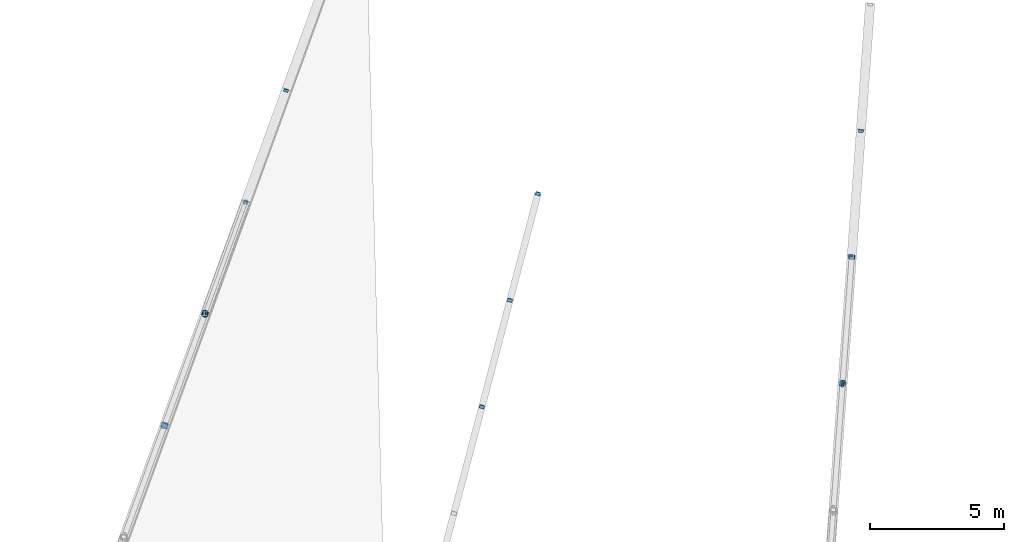
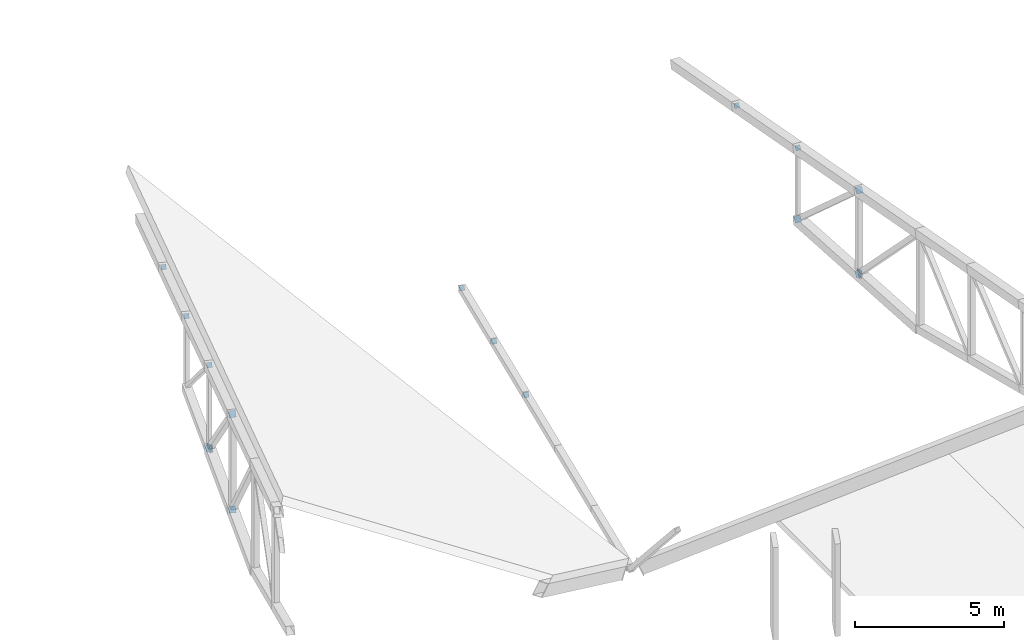
# One storey, part 129 of 188: 18 discrete accessories.
"""IFC4 building model written with IfcOpenShell, lengths in metres."""

from ifc_helpers import new_model, si_unit, direction, frame, origin, origin_2d, place, context, subcontext, project, spatial, rectangle, extrude, material, material_profile, profile_set, type_object, element, save


model = new_model("IFC4")

# Units and contexts
model_context = context("Model", 3, precision=1e-05, world=origin(), true_north=direction((0.0, 1.0)))
body_context = subcontext(model_context, "Body", "Model", "MODEL_VIEW")
ifc_project = project(units=[si_unit("LENGTHUNIT", "METRE"), si_unit("AREAUNIT", "SQUARE_METRE"), si_unit("VOLUMEUNIT", "CUBIC_METRE"), si_unit("PLANEANGLEUNIT", "RADIAN"), si_unit("MASSUNIT", "GRAM", prefix="KILO")], contexts=[model_context])

# Site, building, storey
site_placement = place(None, origin())
site = spatial("IfcSite", under=ifc_project, at=site_placement, CompositionType="ELEMENT")
building_placement = place(site_placement, origin())
building = spatial("IfcBuilding", under=site, at=building_placement, Name="Meseta Stadium", CompositionType="ELEMENT")
storey_placement = place(building_placement, frame((0.0, 0.0, 30.0)))
storey = spatial("IfcBuildingStorey", under=building, at=storey_placement, Name="ROOF", CompositionType="ELEMENT", Elevation=30.0)

# Discrete accessories
ifc_material_1 = material(Name="Steel S355", Category="steel")
ifc_material_profile_1 = material_profile(ifc_material_1, rectangle(XDim=0.179931640625, YDim=0.179931640625, at=origin_2d()), Name="PL 180x180")
ifc_profile_set_1 = profile_set([ifc_material_profile_1], Name="Steel S355")
discrete_accessory_type_1 = type_object("IfcDiscreteAccessoryType", Name="End plate 180x180x20", PredefinedType="ANCHORPLATE", material=ifc_profile_set_1)
for number, where, z_axis, x_axis, name in (
    (1, (-26.901123046875, -73.901611328125, 2.534912109375), (-0.282044096163, -0.784818354541, 0.551825405536), (0.94107471628, -0.338198726163, 0.0), "End plate of ROOF TRUSS RT-44 diagonal"),
    (2, (-28.411865234375, -78.06396484375, 3.575927734375), (-0.268672545331, -0.744955693871, 0.610619421206), (0.940690666396, -0.339265486241, 0.0), "End plate of ROOF TRUSS RT-44 diagonal"),
    (3, (-29.922607421875, -82.226318359375, 4.616943359375), (-0.256154710728, -0.707474915343, 0.658683541871), (0.940265849956, -0.340441083605, 0.0), "End plate of ROOF TRUSS RT-44 diagonal"),
    (4, (-17.51953125, -77.74658203125, 0.7265625), (-0.196278391379, -0.71150916875, 0.674706970367), (0.963992618206, -0.265928998126, 0.0), "End plate of ROOF TRUSS RT-45 diagonal"),
):
    element("IfcDiscreteAccessory", number, at=place(storey_placement, frame(where, z_axis=z_axis, x_axis=x_axis)), inside=storey, type_object=discrete_accessory_type_1, Name=name, PredefinedType="ANCHORPLATE", context=body_context, shape_type="SweptSolid", body=[
        extrude(rectangle(XDim=0.179931640625, YDim=0.179931640625, at=origin_2d()), origin(), (0.0, 0.0, 1.0), 0.02001953125),
    ])
discrete_accessory_1_placement = place(storey_placement, frame((-18.56298828125, -81.716552734375, 1.30029296875), z_axis=(-0.184441720091, -0.713174651018, 0.676286307), x_axis=(0.968146911612, -0.250382821969, 0.0)))
element("IfcDiscreteAccessory", 5, at=discrete_accessory_1_placement, inside=storey, type_object=discrete_accessory_type_1, Name="End plate of ROOF TRUSS RT-45 diagonal", PredefinedType="ANCHORPLATE", context=body_context, shape_type="SweptSolid", body=[
    extrude(rectangle(XDim=0.179931640625, YDim=0.179931640625, at=origin_2d()), origin(), (0.0, 0.0, 1.0), 0.019775390625),
])
for number, where, z_axis, x_axis, name in (
    (6, (-19.606201171875, -85.686279296875, 1.8740234375), (-0.194572921316, -0.717487647354, 0.668844417025), (0.96514032777, -0.261732970243, 0.0), "End plate of ROOF TRUSS RT-45 diagonal"),
    (7, (-5.49169921875, -75.4072265625, 2.594482421875), (-0.060790554368, -0.826751539405, 0.559273100186), (0.99730762529, -0.073331443036, 0.0), "End plate of ROOF TRUSS RT-46 diagonal"),
    (8, (-5.83349609375, -80.120361328125, 3.834716796875), (-0.048718939683, -0.791682769845, 0.608986746035), (0.998111869923, -0.061422268918, 0.0), "End plate of ROOF TRUSS RT-46 diagonal"),
):
    element("IfcDiscreteAccessory", number, at=place(storey_placement, frame(where, z_axis=z_axis, x_axis=x_axis)), inside=storey, type_object=discrete_accessory_type_1, Name=name, PredefinedType="ANCHORPLATE", context=body_context, shape_type="SweptSolid", body=[
        extrude(rectangle(XDim=0.179931640625, YDim=0.179931640625, at=origin_2d()), origin(), (0.0, 0.0, 1.0), 0.02001953125),
    ])
ifc_material_2 = material(Name="Steel S355", Category="steel")
ifc_material_profile_2 = material_profile(ifc_material_2, rectangle(XDim=0.239990234375, YDim=0.239990234375, at=origin_2d()), Name="PL 240x240")
ifc_profile_set_2 = profile_set([ifc_material_profile_2], Name="Steel S355")
discrete_accessory_type_2 = type_object("IfcDiscreteAccessoryType", Name="End plate 240x240x20", PredefinedType="ANCHORPLATE", material=ifc_profile_set_2)
discrete_accessory_2_placement = place(storey_placement, frame((-29.917724609375, -82.213134765625, 1.18408203125), z_axis=(-0.244704392116, -0.660701858714, 0.709642737137), x_axis=(0.937748760724, -0.347314355824, 0.0)))
element("IfcDiscreteAccessory", 9, at=discrete_accessory_2_placement, inside=storey, type_object=discrete_accessory_type_2, Name="End plate of ROOF TRUSS RT-44 diagonal", PredefinedType="ANCHORPLATE", context=body_context, shape_type="SweptSolid", body=[
    extrude(rectangle(XDim=0.239990234375, YDim=0.239990234375, at=origin_2d()), origin(), (0.0, 0.0, 1.0), 0.02001953125),
])
discrete_accessory_3_placement = place(storey_placement, frame((-31.433349609375, -86.388671875, 5.657958984375), z_axis=(-0.233150773622, -0.66263904082, 0.711723414214), x_axis=(0.943312390837, -0.331906211591, 0.0)))
element("IfcDiscreteAccessory", 10, at=discrete_accessory_3_placement, inside=storey, type_object=discrete_accessory_type_2, Name="End plate of ROOF TRUSS RT-44 diagonal", PredefinedType="ANCHORPLATE", context=body_context, shape_type="SweptSolid", body=[
    extrude(rectangle(XDim=0.239990234375, YDim=0.239990234375, at=origin_2d()), origin(), (0.0, 0.0, 1.0), 0.019775390625),
])
for number, where, z_axis, x_axis, name in (
    (11, (-31.4287109375, -86.376220703125, 1.7197265625), (-0.232416988925, -0.623856128167, 0.74618085918), (0.937082114833, -0.349109023173, 0.0), "End plate of ROOF TRUSS RT-44 diagonal"),
    (12, (-5.832275390625, -80.10546875, 0.898681640625), (-0.061258687864, -0.747355991938, 0.661593828928), (0.996657521232, -0.081693239445, 0.0), "End plate of ROOF TRUSS RT-46 diagonal"),
    (13, (-6.17529296875, -84.83349609375, 5.07470703125), (-0.049040086732, -0.747861322669, 0.662041170887), (0.99785694905, -0.065433242561, 0.0), "End plate of ROOF TRUSS RT-46 diagonal"),
    (14, (-6.174072265625, -84.819091796875, 1.63037109375), (-0.060835534437, -0.717859306352, 0.693525092577), (0.996428304897, -0.084443076686, 0.0), "End plate of ROOF TRUSS RT-46 diagonal"),
):
    element("IfcDiscreteAccessory", number, at=place(storey_placement, frame(where, z_axis=z_axis, x_axis=x_axis)), inside=storey, type_object=discrete_accessory_type_2, Name=name, PredefinedType="ANCHORPLATE", context=body_context, shape_type="SweptSolid", body=[
        extrude(rectangle(XDim=0.239990234375, YDim=0.239990234375, at=origin_2d()), origin(), (0.0, 0.0, 1.0), 0.02001953125),
    ])
ifc_material_3 = material(Name="Steel S355", Category="steel")
ifc_material_profile_3 = material_profile(ifc_material_3, rectangle(XDim=0.260009765625, YDim=0.260009765625, at=origin_2d()), Name="PL 260x260")
ifc_profile_set_3 = profile_set([ifc_material_profile_3], Name="Steel S355")
discrete_accessory_type_3 = type_object("IfcDiscreteAccessoryType", Name="End plate 260x260x20", PredefinedType="ANCHORPLATE", material=ifc_profile_set_3)
for number, where, z_axis, x_axis, name in (
    (15, (-29.922607421875, -82.226318359375, 1.1982421875), (0.86239765409, -0.255075362477, 0.437272049961), (0.28362844186, 0.958934255811, 0.0), "End plate of ROOF TRUSS STRUT RT-43/44"),
    (16, (-29.94189453125, -82.227294921875, 1.203369140625), (0.965282693212, 0.048875073074, -0.256594133639), (-0.050568132333, 0.998720613581, 0.0), "End plate of ROOF TRUSS STRUT RT-44/45"),
    (17, (-6.17529296875, -84.83349609375, 1.644287109375), (0.935552425423, -0.230850598481, 0.267300692978), (0.239567708184, 0.970879659482, 0.0), "End plate of ROOF TRUSS STRUT RT-45/46"),
):
    element("IfcDiscreteAccessory", number, at=place(storey_placement, frame(where, z_axis=z_axis, x_axis=x_axis)), inside=storey, type_object=discrete_accessory_type_3, Name=name, PredefinedType="ANCHORPLATE", context=body_context, shape_type="SweptSolid", body=[
        extrude(rectangle(XDim=0.260009765625, YDim=0.260009765625, at=origin_2d()), origin(), (0.0, 0.0, 1.0), 0.02001953125),
    ])
discrete_accessory_4_placement = place(storey_placement, frame((-6.194580078125, -84.83349609375, 1.649169921875), z_axis=(0.969416374533, 0.0, -0.24542186697), x_axis=(0.0, 1.0, 0.0)))
element("IfcDiscreteAccessory", 18, at=discrete_accessory_4_placement, inside=storey, type_object=discrete_accessory_type_3, Name="End plate of ROOF TRUSS STRUT RT-46/47", PredefinedType="ANCHORPLATE", context=body_context, shape_type="SweptSolid", body=[
    extrude(rectangle(XDim=0.260009765625, YDim=0.260009765625, at=origin_2d()), origin(), (0.0, 0.0, 1.0), 0.019775390625),
])

save(model, "model.ifc")
